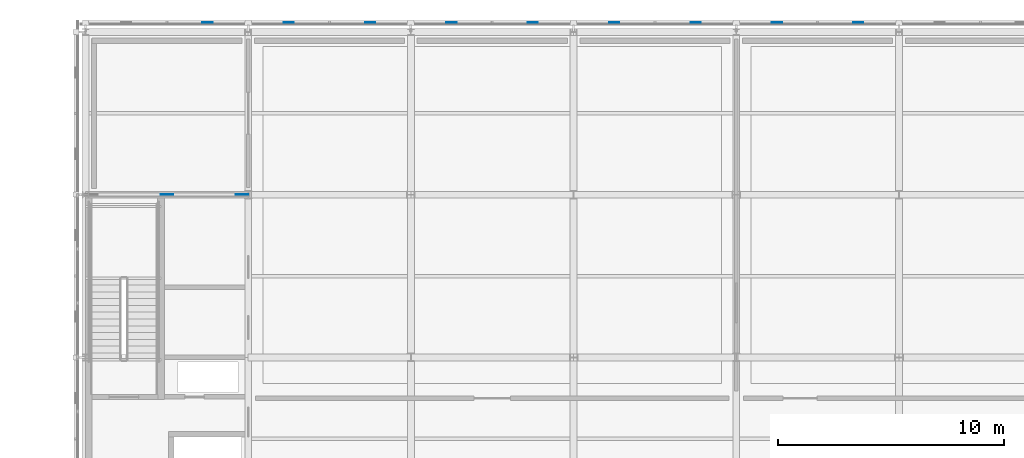
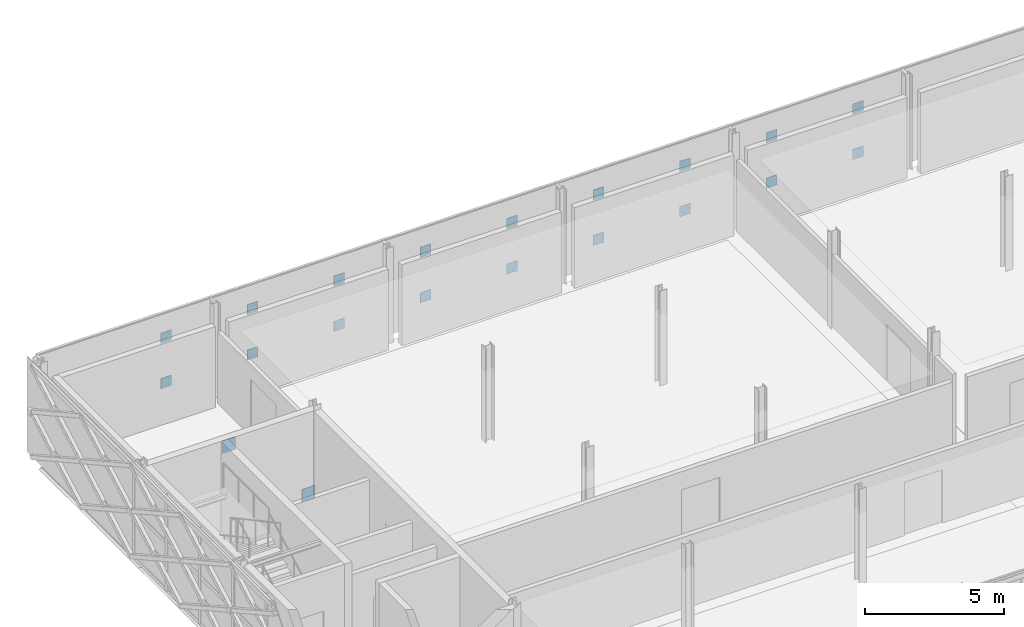
# One storey, part 83 of 103: 20 plates.
"""IFC4 building model written with IfcOpenShell, lengths in metres."""

from ifc_helpers import new_model, si_unit, direction, frame, origin, origin_2d, place, context, subcontext, project, spatial, rectangle, extrude, material, layer, layer_set, type_object, element, save


model = new_model("IFC4")

# Units and contexts
model_context = context("Model", 3, precision=1e-05, world=origin(), true_north=direction((0.0, 1.0)))
body_context = subcontext(model_context, "Body", "Model", "MODEL_VIEW")
ifc_project = project(units=[si_unit("LENGTHUNIT", "METRE"), si_unit("AREAUNIT", "SQUARE_METRE"), si_unit("VOLUMEUNIT", "CUBIC_METRE"), si_unit("PLANEANGLEUNIT", "RADIAN"), si_unit("MASSUNIT", "GRAM", prefix="KILO")], contexts=[model_context])

# Site, building, storey
site_placement = place(None, origin())
site = spatial("IfcSite", under=ifc_project, at=site_placement, CompositionType="ELEMENT")
building_placement = place(site_placement, origin())
building = spatial("IfcBuilding", under=site, at=building_placement, Name="Zlatovets Crest Museum", CompositionType="ELEMENT")
storey_placement = place(building_placement, frame((0.0, 0.0, 12.89990234375)))
storey = spatial("IfcBuildingStorey", under=building, at=storey_placement, Name="L03", CompositionType="ELEMENT", Elevation=12.89990234375)

# Plates
ifc_material = material(Name="Structural steel S355J2", Category="steel")
ifc_layer_1 = layer(ifc_material, 0.02490234375)
ifc_layer_set_1 = layer_set([ifc_layer_1], Name="Structural steel S355J2")
plate_type_1 = type_object("IfcPlateType", Name="Gusset_GP-01", PredefinedType="USERDEFINED", material=ifc_layer_set_1)
for number, where, z_axis, x_axis, name in (
    (1, (64.52001953125, 108.0, 0.0048828125), (0.0, 0.0, 1.0), (1.0, 0.0, 0.0), "V1 L03 Brace End Gusset Plate GP-01"),
    (2, (61.199951171875, 108.0, 3.294921875), (0.0, 0.0, 1.0), (1.0, 0.0, 0.0), "V1 L03 Brace End Gusset Plate GP-01"),
):
    element("IfcPlate", number, at=place(storey_placement, frame(where, z_axis=z_axis, x_axis=x_axis)), inside=storey, type_object=plate_type_1, Name=name, ObjectType="GUSSET", PredefinedType="USERDEFINED", context=body_context, shape_type="SweptSolid", body=[
        extrude(rectangle(XDim=0.550048828125, YDim=0.02490234375, at=origin_2d()), origin(), (0.0, 0.0, 1.0), 0.550048828125),
    ])
ifc_layer_2 = layer(ifc_material, 0.02001953125)
ifc_layer_set_2 = layer_set([ifc_layer_2], Name="Structural steel S355J2")
plate_type_2 = type_object("IfcPlateType", Name="Gusset_GP-04", PredefinedType="USERDEFINED", material=ifc_layer_set_2)
for number, where, z_axis, x_axis, name in (
    (3, (91.800048828125, 115.6201171875, 0.875), (0.0, 0.0, 1.0), (1.0, 0.0, 0.0), "X-Brace Crossing Node Gusset Plate GP-04"),
    (4, (88.199951171875, 115.6201171875, 0.875), (0.0, 0.0, 1.0), (1.0, 0.0, 0.0), "X-Brace Crossing Node Gusset Plate GP-04"),
    (5, (91.800048828125, 115.6201171875, 2.875), (0.0, 0.0, 1.0), (1.0, 0.0, 0.0), "X-Brace Crossing Node Gusset Plate GP-04"),
    (6, (88.199951171875, 115.6201171875, 2.875), (0.0, 0.0, 1.0), (1.0, 0.0, 0.0), "X-Brace Crossing Node Gusset Plate GP-04"),
    (7, (84.60009765625, 115.6201171875, 0.875), (0.0, 0.0, 1.0), (1.0, 0.0, 0.0), "X-Brace Crossing Node Gusset Plate GP-04"),
    (8, (81.0, 115.6201171875, 0.875), (0.0, 0.0, 1.0), (1.0, 0.0, 0.0), "X-Brace Crossing Node Gusset Plate GP-04"),
    (9, (84.60009765625, 115.6201171875, 2.875), (0.0, 0.0, 1.0), (1.0, 0.0, 0.0), "X-Brace Crossing Node Gusset Plate GP-04"),
    (10, (81.0, 115.6201171875, 2.875), (0.0, 0.0, 1.0), (1.0, 0.0, 0.0), "X-Brace Crossing Node Gusset Plate GP-04"),
    (11, (77.39990234375, 115.6201171875, 0.875), (0.0, 0.0, 1.0), (1.0, 0.0, 0.0), "X-Brace Crossing Node Gusset Plate GP-04"),
    (12, (73.800048828125, 115.6201171875, 0.875), (0.0, 0.0, 1.0), (1.0, 0.0, 0.0), "X-Brace Crossing Node Gusset Plate GP-04"),
    (13, (77.39990234375, 115.6201171875, 2.875), (0.0, 0.0, 1.0), (1.0, 0.0, 0.0), "X-Brace Crossing Node Gusset Plate GP-04"),
    (14, (73.800048828125, 115.6201171875, 2.875), (0.0, 0.0, 1.0), (1.0, 0.0, 0.0), "X-Brace Crossing Node Gusset Plate GP-04"),
    (15, (70.199951171875, 115.6201171875, 0.875), (0.0, 0.0, 1.0), (1.0, 0.0, 0.0), "X-Brace Crossing Node Gusset Plate GP-04"),
    (16, (66.60009765625, 115.6201171875, 0.875), (0.0, 0.0, 1.0), (1.0, 0.0, 0.0), "X-Brace Crossing Node Gusset Plate GP-04"),
    (17, (70.199951171875, 115.6201171875, 2.875), (0.0, 0.0, 1.0), (1.0, 0.0, 0.0), "X-Brace Crossing Node Gusset Plate GP-04"),
    (18, (66.60009765625, 115.6201171875, 2.875), (0.0, 0.0, 1.0), (1.0, 0.0, 0.0), "X-Brace Crossing Node Gusset Plate GP-04"),
    (19, (63.0, 115.6201171875, 0.875), (0.0, 0.0, 1.0), (1.0, 0.0, 0.0), "X-Brace Crossing Node Gusset Plate GP-04"),
    (20, (63.0, 115.6201171875, 2.875), (0.0, 0.0, 1.0), (1.0, 0.0, 0.0), "X-Brace Crossing Node Gusset Plate GP-04"),
):
    element("IfcPlate", number, at=place(storey_placement, frame(where, z_axis=z_axis, x_axis=x_axis)), inside=storey, type_object=plate_type_2, Name=name, ObjectType="GUSSET", PredefinedType="USERDEFINED", context=body_context, shape_type="SweptSolid", body=[
        extrude(rectangle(XDim=0.449951171875, YDim=0.02001953125, at=origin_2d()), origin(), (0.0, 0.0, 1.0), 0.449951171875),
    ])

save(model, "model.ifc")
